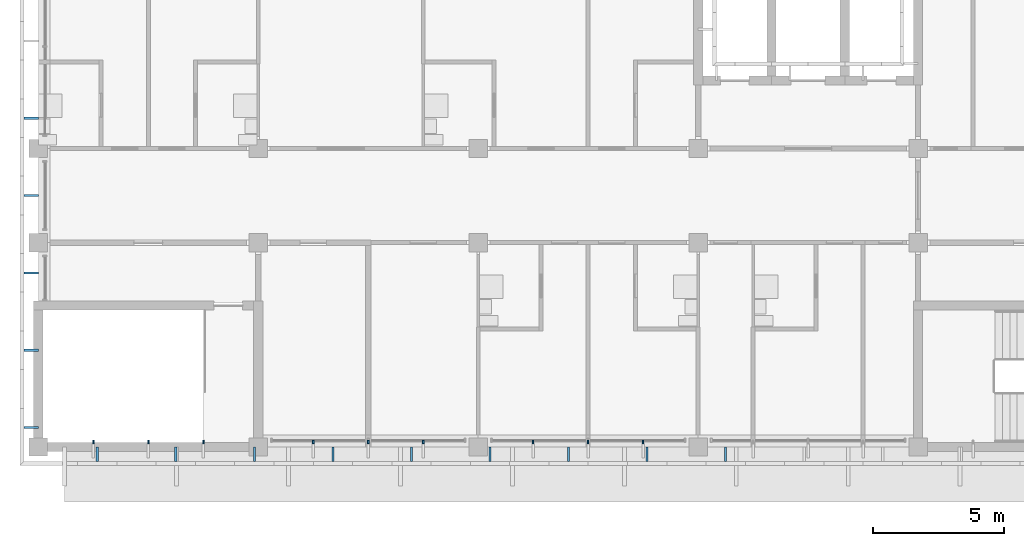
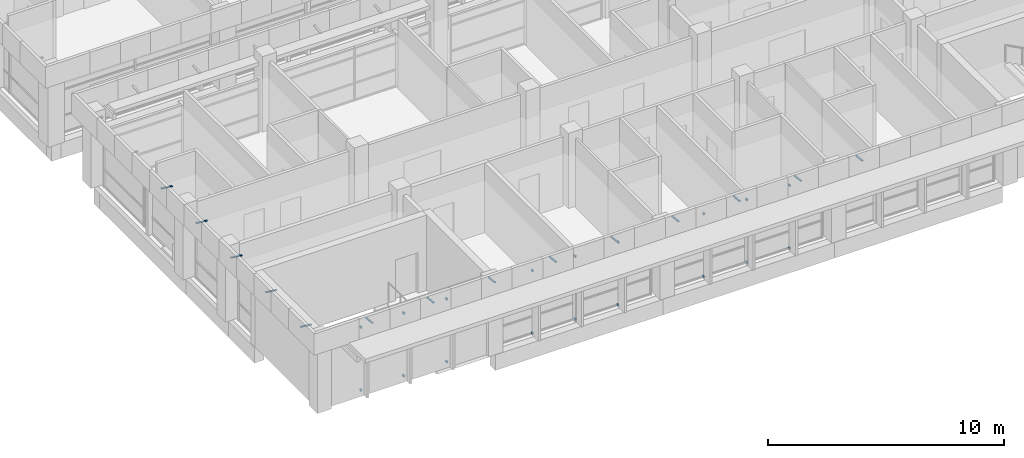
# One storey, part 42 of 71: 32 discrete accessories.
"""IFC4 building model written with IfcOpenShell, lengths in metres."""

from ifc_helpers import new_model, si_unit, direction, frame, origin, origin_2d, place, context, subcontext, project, spatial, rectangle, extrude, material, material_profile, profile_set, type_object, element, save


model = new_model("IFC4")

# Units and contexts
model_context = context("Model", 3, precision=1e-05, world=origin(), true_north=direction((0.0, 1.0)))
body_context = subcontext(model_context, "Body", "Model", "MODEL_VIEW")
ifc_project = project(units=[si_unit("LENGTHUNIT", "METRE"), si_unit("AREAUNIT", "SQUARE_METRE"), si_unit("VOLUMEUNIT", "CUBIC_METRE"), si_unit("PLANEANGLEUNIT", "RADIAN"), si_unit("MASSUNIT", "GRAM", prefix="KILO")], contexts=[model_context])

# Site, building, storey
site_placement = place(None, origin())
site = spatial("IfcSite", under=ifc_project, at=site_placement, CompositionType="ELEMENT")
building_placement = place(site_placement, origin())
building = spatial("IfcBuilding", under=site, at=building_placement, Name="Bougainvillea Quay General Hospital", CompositionType="ELEMENT")
storey_placement = place(building_placement, frame((0.0, 0.0, 24.89990234375)))
storey = spatial("IfcBuildingStorey", under=building, at=storey_placement, Name="L05", CompositionType="ELEMENT", Elevation=24.89990234375)

# Discrete accessories
ifc_material = material(Name="Stainless steel bracket, grade 316", Category="steel")
discrete_accessory_type_1 = type_object("IfcDiscreteAccessoryType", Name="Stainless steel fin arm 60x80", PredefinedType="BRACKET", material=ifc_material)
for number, where, z_axis, x_axis, name in (
    (1, (65.10009765625, 117.7900390625, 0.0), (0.0, 0.0, 1.0), (0.0, -1.0, 0.0), "Fin arm V5B L05 01.37B"),
    (2, (65.10009765625, 117.7900390625, 3.25), (0.0, 0.0, 1.0), (0.0, -1.0, 0.0), "Fin arm V5B L05 01.37T"),
    (3, (63.0, 117.7900390625, 0.0), (0.0, 0.0, 1.0), (0.0, -1.0, 0.0), "Fin arm V5B L05 01.38B"),
    (4, (63.0, 117.7900390625, 3.25), (0.0, 0.0, 1.0), (0.0, -1.0, 0.0), "Fin arm V5B L05 01.38T"),
    (5, (60.89990234375, 117.7900390625, 0.0), (0.0, 0.0, 1.0), (0.0, -1.0, 0.0), "Fin arm V5B L05 01.39B"),
    (6, (60.89990234375, 117.7900390625, 3.25), (0.0, 0.0, 1.0), (0.0, -1.0, 0.0), "Fin arm V5B L05 01.39T"),
    (7, (56.699951171875, 117.7900390625, 0.0), (0.0, 0.0, 1.0), (0.0, -1.0, 0.0), "Fin arm V5B L05 01.40B"),
    (8, (56.699951171875, 117.7900390625, 3.25), (0.0, 0.0, 1.0), (0.0, -1.0, 0.0), "Fin arm V5B L05 01.40T"),
    (9, (54.60009765625, 117.7900390625, 0.0), (0.0, 0.0, 1.0), (0.0, -1.0, 0.0), "Fin arm V5B L05 01.41B"),
    (10, (54.60009765625, 117.7900390625, 3.25), (0.0, 0.0, 1.0), (0.0, -1.0, 0.0), "Fin arm V5B L05 01.41T"),
    (11, (52.5, 117.7900390625, 0.0), (0.0, 0.0, 1.0), (0.0, -1.0, 0.0), "Fin arm V5B L05 01.42B"),
    (12, (52.5, 117.7900390625, 3.25), (0.0, 0.0, 1.0), (0.0, -1.0, 0.0), "Fin arm V5B L05 01.42T"),
    (13, (48.300048828125, 117.7900390625, 0.0), (0.0, 0.0, 1.0), (0.0, -1.0, 0.0), "Fin arm V5B L05 01.43B"),
    (14, (48.300048828125, 117.7900390625, 3.25), (0.0, 0.0, 1.0), (0.0, -1.0, 0.0), "Fin arm V5B L05 01.43T"),
    (15, (46.199951171875, 117.7900390625, 0.0), (0.0, 0.0, 1.0), (0.0, -1.0, 0.0), "Fin arm V5B L05 01.44B"),
    (16, (46.199951171875, 117.7900390625, 3.25), (0.0, 0.0, 1.0), (0.0, -1.0, 0.0), "Fin arm V5B L05 01.44T"),
    (17, (44.10009765625, 117.7900390625, 0.0), (0.0, 0.0, 1.0), (0.0, -1.0, 0.0), "Fin arm V5B L05 01.45B"),
    (18, (44.10009765625, 117.7900390625, 3.25), (0.0, 0.0, 1.0), (0.0, -1.0, 0.0), "Fin arm V5B L05 01.45T"),
):
    element("IfcDiscreteAccessory", number, at=place(storey_placement, frame(where, z_axis=z_axis, x_axis=x_axis)), inside=storey, type_object=discrete_accessory_type_1, Name=name, PredefinedType="BRACKET", context=body_context, shape_type="SweptSolid", body=[
        extrude(rectangle(XDim=0.1201171875, YDim=0.06005859375, at=origin_2d()), origin(), (0.0, 0.0, 1.0), 0.080078125),
    ])
ifc_material_profile = material_profile(ifc_material, rectangle(XDim=0.080078125, YDim=0.050048828125, at=origin_2d()))
ifc_profile_set = profile_set([ifc_material_profile], Name="Stainless steel bracket, grade 316")
discrete_accessory_type_2 = type_object("IfcDiscreteAccessoryType", Name="Stainless steel stand-off bracket 80x50", PredefinedType="BRACKET", material=ifc_profile_set)
for number, where, z_axis, x_axis, name in (
    (19, (42.0, 130.15380859375, 3.840087890625), (-0.994091793559, 0.0, 0.108542645901), (0.0, -1.0, 0.0), "Fascia bracket e0 5"),
    (20, (42.0, 127.199951171875, 3.840087890625), (-0.994091793559, 0.0, 0.108542645901), (0.0, -1.0, 0.0), "Fascia bracket e0 7"),
    (21, (42.0, 124.24609375, 3.840087890625), (-0.994091793559, 0.0, 0.108542645901), (0.0, -1.0, 0.0), "Fascia bracket e0 9"),
    (22, (42.0, 121.292236328125, 3.840087890625), (-0.994091793559, 0.0, 0.108542645901), (0.0, -1.0, 0.0), "Fascia bracket e0 11"),
    (23, (42.0, 118.33837890625, 3.840087890625), (-0.994091793559, 0.0, 0.108542645901), (0.0, -1.0, 0.0), "Fascia bracket e0 13"),
    (24, (44.25, 117.60009765625, 3.840087890625), (0.0, -0.994091793559, 0.108542645901), (1.0, 0.0, 0.0), "Fascia bracket e0 15"),
    (25, (47.25, 117.60009765625, 3.840087890625), (0.0, -0.994091793559, 0.108542645901), (1.0, 0.0, 0.0), "Fascia bracket e0 17"),
    (26, (50.25, 117.60009765625, 3.840087890625), (0.0, -0.994091793559, 0.108542645901), (1.0, 0.0, 0.0), "Fascia bracket e0 19"),
    (27, (53.25, 117.60009765625, 3.840087890625), (0.0, -0.994091793559, 0.108542645901), (1.0, 0.0, 0.0), "Fascia bracket e0 21"),
    (28, (56.25, 117.60009765625, 3.840087890625), (0.0, -0.994091793559, 0.108542645901), (1.0, 0.0, 0.0), "Fascia bracket e0 23"),
    (29, (59.25, 117.60009765625, 3.840087890625), (0.0, -0.994091793559, 0.108542645901), (1.0, 0.0, 0.0), "Fascia bracket e0 25"),
    (30, (62.25, 117.60009765625, 3.840087890625), (0.0, -0.994091793559, 0.108542645901), (1.0, 0.0, 0.0), "Fascia bracket e0 27"),
    (31, (65.25, 117.60009765625, 3.840087890625), (0.0, -0.994091793559, 0.108542645901), (1.0, 0.0, 0.0), "Fascia bracket e0 29"),
    (32, (68.25, 117.60009765625, 3.840087890625), (0.0, -0.994091793559, 0.108542645901), (1.0, 0.0, 0.0), "Fascia bracket e0 31"),
):
    element("IfcDiscreteAccessory", number, at=place(storey_placement, frame(where, z_axis=z_axis, x_axis=x_axis)), inside=storey, type_object=discrete_accessory_type_2, Name=name, PredefinedType="BRACKET", context=body_context, shape_type="SweptSolid", body=[
        extrude(rectangle(XDim=0.080078125, YDim=0.050048828125, at=origin_2d()), origin(), (0.0, 0.0, 1.0), 0.55322265625),
    ])

save(model, "model.ifc")
